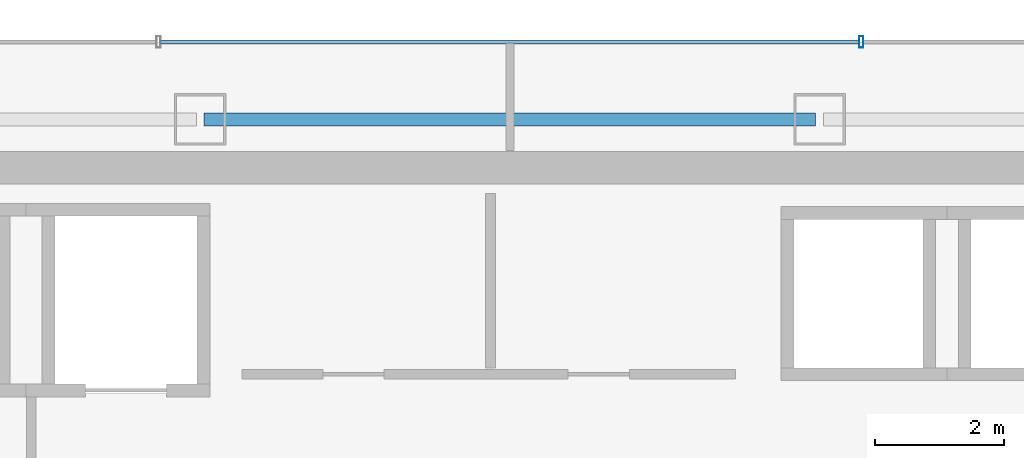
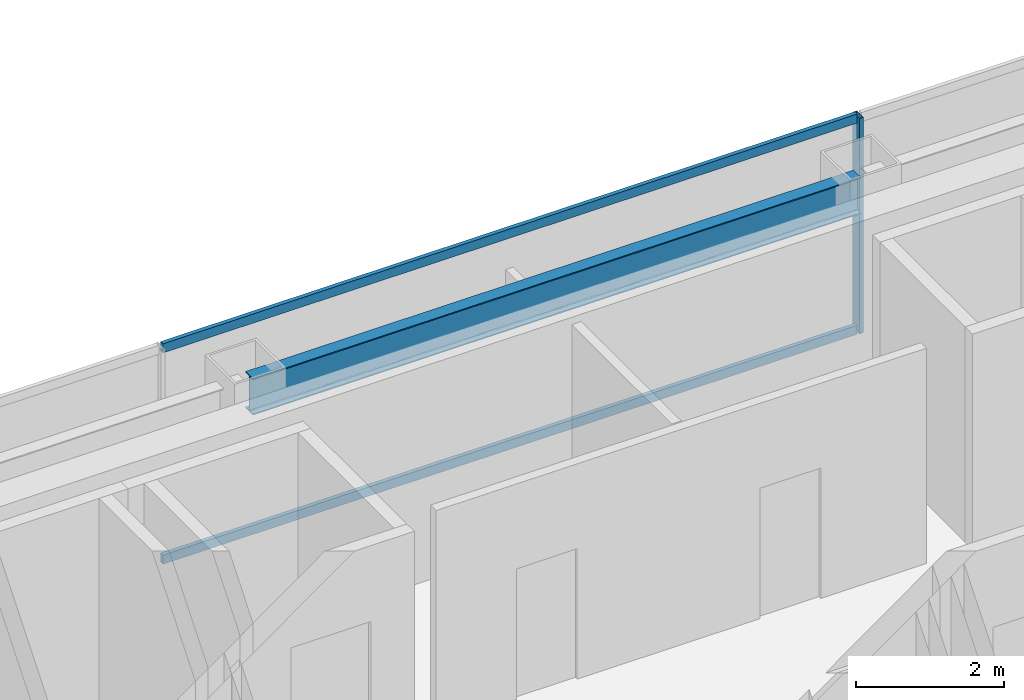
# One storey, part 25 of 36: 3 members, 1 beam, 1 element without a shape of its own.
"""IFC4 building model written with IfcOpenShell, lengths in metres."""

import ifcopenshell
import ifcopenshell.guid

model = None  # the IFC model being written
_history = None  # IfcOwnerHistory: only IFC2X3 demands one
_inside = {}  # id of a spatial element -> (the spatial element, [elements in it])
_under = {}  # id of a project, library or spatial element -> (it, [spatial elements below it])
_declared = {}  # id of a project -> (the project, [libraries it declares])
_typed = {}  # id of a type object -> (the type object, [elements of that type])
_made_of = {}  # id of a material, layer set ... -> (it, [elements and type objects made of it])


def new_model(schema):
    """Start an empty IFC model of exactly this schema.

    Asked for "IFC4X3", IfcOpenShell would pick the latest addendum, in which some entities
    have other attributes; the version numbers below select the first issue.
    IFC2X3 requires an IfcOwnerHistory on every rooted entity: one is made here for all.
    """
    global model, _history
    if schema == "IFC4X3":
        model = ifcopenshell.file(schema_version=(4, 3, 0, 0))
    else:
        model = ifcopenshell.file(schema=schema)
    _inside.clear()
    _under.clear()
    _declared.clear()
    _typed.clear()
    _made_of.clear()
    _history = None
    if model.schema == "IFC2X3":
        org = make("IfcOrganization", Name="unknown")
        user = make(
            "IfcPersonAndOrganization",
            ThePerson=make("IfcPerson", FamilyName="unknown"),
            TheOrganization=org,
        )
        app = make(
            "IfcApplication",
            ApplicationDeveloper=org,
            Version="unknown",
            ApplicationFullName="unknown",
            ApplicationIdentifier="unknown",
        )
        _history = make(
            "IfcOwnerHistory",
            OwningUser=user,
            OwningApplication=app,
            ChangeAction="ADDED",
            CreationDate=0,
        )
    return model


def make(cls, **values):
    """One entity of the class cls with the attributes given. An attribute that is None is left unset."""
    return model.create_entity(
        cls, **{name: value for name, value in values.items() if value is not None}
    )


def rooted(cls, **values):
    """An entity with a GlobalId (a new one), such as an element, a storey or a relation."""
    return make(cls, GlobalId=ifcopenshell.guid.new(), OwnerHistory=_history, **values)


def si_unit(unit_type, name, prefix=None):
    """IfcSIUnit, for example si_unit("LENGTHUNIT", "METRE", prefix="MILLI")."""
    return make("IfcSIUnit", UnitType=unit_type, Prefix=prefix, Name=name)


def assignment(units):
    """IfcUnitAssignment: the units of a project."""
    return None if units is None else make("IfcUnitAssignment", Units=units)


def point(xyz):
    """IfcCartesianPoint."""
    return None if xyz is None else make("IfcCartesianPoint", Coordinates=xyz)


def direction(xyz):
    """IfcDirection."""
    return None if xyz is None else make("IfcDirection", DirectionRatios=xyz)


def frame(location, z_axis=None, x_axis=None):
    """IfcAxis2Placement3D, a coordinate frame: its origin and axes. An axis left out is left unset."""
    return make(
        "IfcAxis2Placement3D",
        Location=point(location),
        Axis=direction(z_axis),
        RefDirection=direction(x_axis),
    )


def frame_2d(location, x_axis=None):
    """IfcAxis2Placement2D, a coordinate frame in the plane: its origin and x axis."""
    return make(
        "IfcAxis2Placement2D", Location=point(location), RefDirection=direction(x_axis)
    )


def origin():
    """The frame at (0, 0, 0) with its axes left unset."""
    return frame((0.0, 0.0, 0.0))


def origin_2d():
    """The frame at (0, 0) in the plane with its x axis left unset."""
    return frame_2d((0.0, 0.0))


def place(relative_to, where):
    """IfcLocalPlacement: puts the frame where relative to a parent placement (None: the world)."""
    return make(
        "IfcLocalPlacement", PlacementRelTo=relative_to, RelativePlacement=where
    )


def context(
    kind, dimensions, precision=None, world=None, true_north=None, identifier=None
):
    """IfcGeometricRepresentationContext, for example the 3D "Model" context."""
    return make(
        "IfcGeometricRepresentationContext",
        ContextIdentifier=identifier,
        ContextType=kind,
        CoordinateSpaceDimension=dimensions,
        Precision=precision,
        WorldCoordinateSystem=world,
        TrueNorth=true_north,
    )


def subcontext(parent, identifier, kind, view, scale=None):
    """IfcGeometricRepresentationSubContext, for example "Body" below "Model"."""
    return make(
        "IfcGeometricRepresentationSubContext",
        ContextIdentifier=identifier,
        ContextType=kind,
        ParentContext=parent,
        TargetScale=scale,
        TargetView=view,
    )


def project(units=None, contexts=None):
    """IfcProject with its units and contexts."""
    return rooted(
        "IfcProject",
        Name="project",
        RepresentationContexts=contexts,
        UnitsInContext=assignment(units),
    )


def spatial(cls, under=None, at=None, **own):
    """A site, building, storey or space (cls), placed at a placement, below another one or the project."""
    s = rooted(cls, ObjectPlacement=at, **own)
    if under is not None:
        _under.setdefault(under.id(), (under, []))[1].append(s)
    return s


def profile(cls, at=None, kind="AREA", **sizes):
    """A parametric profile (cls). Its sizes go by their IFC names, for example OverallWidth=200.0."""
    return make(cls, ProfileType=kind, Position=at, **sizes)


def hollow_rectangle(**sizes):
    """IfcRectangleHollowProfileDef."""
    return profile("IfcRectangleHollowProfileDef", **sizes)


def i_section(**sizes):
    """IfcIShapeProfileDef."""
    return profile("IfcIShapeProfileDef", **sizes)


def extrude(swept, where, along, depth):
    """IfcExtrudedAreaSolid: the profile swept, set in the frame where, extruded along a direction by depth."""
    return make(
        "IfcExtrudedAreaSolid",
        SweptArea=swept,
        Position=where,
        ExtrudedDirection=direction(along),
        Depth=depth,
    )


def shape(context_of_items, identifier, shape_type, items):
    """IfcShapeRepresentation: the items that make up one representation, for example the "Body"."""
    return make(
        "IfcShapeRepresentation",
        ContextOfItems=context_of_items,
        RepresentationIdentifier=identifier,
        RepresentationType=shape_type,
        Items=items,
    )


def material(Name=None, Category=None):
    """IfcMaterial."""
    return make("IfcMaterial", Name=Name, Category=Category)


def material_profile(
    of_material, cross_section, Name=None, Category=None, Priority=None
):
    """IfcMaterialProfile: a cross section and its material."""
    return make(
        "IfcMaterialProfile",
        Name=Name,
        Material=of_material,
        Profile=cross_section,
        Priority=Priority,
        Category=Category,
    )


def profile_set(profiles, Name=None, composite=None):
    """IfcMaterialProfileSet."""
    return make(
        "IfcMaterialProfileSet",
        Name=Name,
        MaterialProfiles=profiles,
        CompositeProfile=composite,
    )


def made_of(thing, what):
    """Note that an element or type object is made of a material, layer set ...; save() writes the relation."""
    if what is not None:
        _made_of.setdefault(what.id(), (what, []))[1].append(thing)
    return thing


def type_object(cls, material=None, **own):
    """A type object (cls), such as IfcWallType, which elements share."""
    return made_of(rooted(cls, **own), material)


def element(
    cls,
    number,
    at=None,
    inside=None,
    cuts=None,
    type_object=None,
    material=None,
    context=None,
    identifier="Body",
    shape_type=None,
    held_by="IfcProductDefinitionShape",
    body=None,
    shapes=None,
    **own,
):
    """One element of the class cls, such as IfcWall. Its Tag is "e" and its number.

    at: its placement. inside: the storey or other place that contains it. cuts: it is an
    opening in that element (IfcRelVoidsElement). A single representation is given by context,
    identifier, shape_type and body (its items); several are given by shapes. held_by: the class
    of the entity that holds the representations. save() writes the other relations.
    """
    e = rooted(cls, Tag="e%d" % number, ObjectPlacement=at, **own)
    if body is not None:
        shapes = [shape(context, identifier, shape_type, body)]
    if shapes is not None:
        e.Representation = make(held_by, Representations=shapes)
    if inside is not None:
        _inside.setdefault(inside.id(), (inside, []))[1].append(e)
    if cuts is not None:
        rooted(
            "IfcRelVoidsElement", RelatingBuildingElement=cuts, RelatedOpeningElement=e
        )
    if type_object is not None:
        _typed.setdefault(type_object.id(), (type_object, []))[1].append(e)
    return made_of(e, material)


def aggregate(whole, parts):
    """IfcRelAggregates: a whole, such as a stair, and the parts it consists of."""
    return rooted("IfcRelAggregates", RelatingObject=whole, RelatedObjects=parts)


def save(model, path):
    """Write the relations noted so far, then the file.

    IfcRelAggregates (storeys below a building ...), IfcRelContainedInSpatialStructure (elements
    in a storey), IfcRelDefinesByType, IfcRelAssociatesMaterial and IfcRelDeclares: one each for
    every whole, place, type object, material and project.
    """
    for whole, parts in _under.values():
        aggregate(whole, parts)
    for where, things in _inside.values():
        rooted(
            "IfcRelContainedInSpatialStructure",
            RelatedElements=things,
            RelatingStructure=where,
        )
    for kind, things in _typed.values():
        rooted("IfcRelDefinesByType", RelatedObjects=things, RelatingType=kind)
    for what, things in _made_of.values():
        rooted("IfcRelAssociatesMaterial", RelatedObjects=things, RelatingMaterial=what)
    for by, libraries in _declared.values():
        rooted("IfcRelDeclares", RelatingContext=by, RelatedDefinitions=libraries)
    model.write(path)


model = new_model("IFC4")

# Units and contexts
model_context = context("Model", 3, precision=1e-05, world=origin(), true_north=direction((0.0, 1.0)))
body_context = subcontext(model_context, "Body", "Model", "MODEL_VIEW")
ifc_project = project(units=[si_unit("LENGTHUNIT", "METRE"), si_unit("AREAUNIT", "SQUARE_METRE"), si_unit("VOLUMEUNIT", "CUBIC_METRE"), si_unit("PLANEANGLEUNIT", "RADIAN"), si_unit("MASSUNIT", "GRAM", prefix="KILO")], contexts=[model_context])

# Site, building, storey
site_placement = place(None, origin())
site = spatial("IfcSite", under=ifc_project, at=site_placement, CompositionType="ELEMENT")
building_placement = place(site_placement, origin())
building = spatial("IfcBuilding", under=site, at=building_placement, Name="Saevonmaru Cultural Tower", CompositionType="ELEMENT")
storey_placement = place(building_placement, frame((0.0, 0.0, 182.800048828125)))
storey = spatial("IfcBuildingStorey", under=building, at=storey_placement, Name="L41", CompositionType="ELEMENT", Elevation=182.800048828125)

# Beam
ifc_material_1 = material(Name="Steel SM355", Category="steel")
ifc_material_profile_1 = material_profile(ifc_material_1, i_section(OverallWidth=0.199951171875, OverallDepth=0.60009765625, WebThickness=0.010986328125, FlangeThickness=0.01708984375, FilletRadius=0.02197265625, at=origin_2d()), Name="H-600x200x11x17")
ifc_profile_set_1 = profile_set([ifc_material_profile_1], Name="Steel SM355")
beam_type = type_object("IfcBeamType", Name="BM-SP-H600", PredefinedType="SPANDREL", material=ifc_profile_set_1)
beam_placement = place(storey_placement, frame((25.260009765625, 54.800048828125, 3.25), z_axis=(1.0, 0.0, 0.0), x_axis=(0.0, 1.0, 0.0)))
element("IfcBeam", 1, at=beam_placement, inside=storey, type_object=beam_type, Name="L41 North Spine Girder 3", PredefinedType="SPANDREL", context=body_context, shape_type="SweptSolid", body=[
    extrude(i_section(OverallWidth=0.199951171875, OverallDepth=0.60009765625, WebThickness=0.010986328125, FlangeThickness=0.01708984375, FilletRadius=0.02197265625, at=origin_2d()), origin(), (0.0, 0.0, 1.0), 9.47998046875),
])

# Curtain wall, members
ifc_material_2 = material(Name="Satin Bronze Anodised Aluminium", Category="aluminium")
curtain_wall_type = type_object("IfcCurtainWallType", Name="CW-TYP-B", PredefinedType="NOTDEFINED", material=ifc_material_2)
curtain_wall_placement = place(storey_placement, origin())
curtain_wall = element("IfcCurtainWall", 2, at=curtain_wall_placement, inside=storey, type_object=curtain_wall_type, Name="L41 North Spine Unitised Curtain Wall E10B", PredefinedType="NOTDEFINED")
ifc_material_profile_2 = material_profile(ifc_material_2, hollow_rectangle(XDim=0.06494140625, YDim=0.179931640625, WallThickness=0.00390625, at=origin_2d()), Name="ALU-MULL-180x65x4")
ifc_profile_set_2 = profile_set([ifc_material_profile_2], Name="Satin Bronze Anodised Aluminium")
member_type_1 = type_object("IfcMemberType", Name="ML-CW-180x65", PredefinedType="MULLION", material=ifc_profile_set_2)
member_1_placement = place(storey_placement, frame((35.44677734375, 56.0, 0.0), z_axis=(0.0, 0.0, 1.0), x_axis=(-1.0, 0.0, 0.0)))
member_1 = element("IfcMember", 3, at=member_1_placement, type_object=member_type_1, Name="CW-TW-L41-E10B mullion 2", PredefinedType="MULLION", context=body_context, shape_type="SweptSolid", body=[
    extrude(hollow_rectangle(XDim=0.06494140625, YDim=0.179931640625, WallThickness=0.00390625, at=origin_2d()), origin(), (0.0, 0.0, 1.0), 3.550048828125),
])
ifc_material_profile_3 = material_profile(ifc_material_2, hollow_rectangle(XDim=0.06494140625, YDim=0.14990234375, WallThickness=0.00390625, at=origin_2d()), Name="ALU-TRAN-150x65x4")
ifc_profile_set_3 = profile_set([ifc_material_profile_3], Name="Satin Bronze Anodised Aluminium")
member_type_2 = type_object("IfcMemberType", Name="TR-CW-150x65", PredefinedType="USERDEFINED", material=ifc_profile_set_3)
member_2_placement = place(storey_placement, frame((35.4140625, 56.0, 0.032470703125), z_axis=(-1.0, 0.0, 0.0), x_axis=(0.0, -1.0, 0.0)))
member_2 = element("IfcMember", 4, at=member_2_placement, type_object=member_type_2, Name="CW-TW-L41-E10B transom 2.1", ObjectType="TRANSOM", PredefinedType="USERDEFINED", context=body_context, shape_type="SweptSolid", body=[
    extrude(hollow_rectangle(XDim=0.06494140625, YDim=0.14990234375, WallThickness=0.00390625, at=origin_2d()), origin(), (0.0, 0.0, 1.0), 10.828125),
])
member_3_placement = place(storey_placement, frame((35.4140625, 56.0, 3.517333984375), z_axis=(-1.0, 0.0, 0.0), x_axis=(0.0, -1.0, 0.0)))
member_3 = element("IfcMember", 5, at=member_3_placement, type_object=member_type_2, Name="CW-TW-L41-E10B transom 2.2", ObjectType="TRANSOM", PredefinedType="USERDEFINED", context=body_context, shape_type="SweptSolid", body=[
    extrude(hollow_rectangle(XDim=0.06494140625, YDim=0.14990234375, WallThickness=0.00390625, at=origin_2d()), origin(), (0.0, 0.0, 1.0), 10.828125),
])
aggregate(curtain_wall, [member_1, member_2, member_3])

save(model, "model.ifc")
